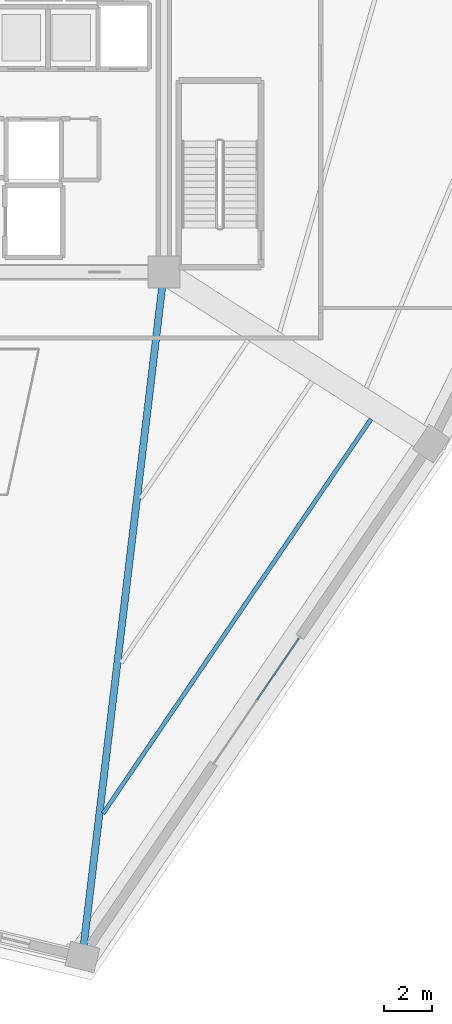
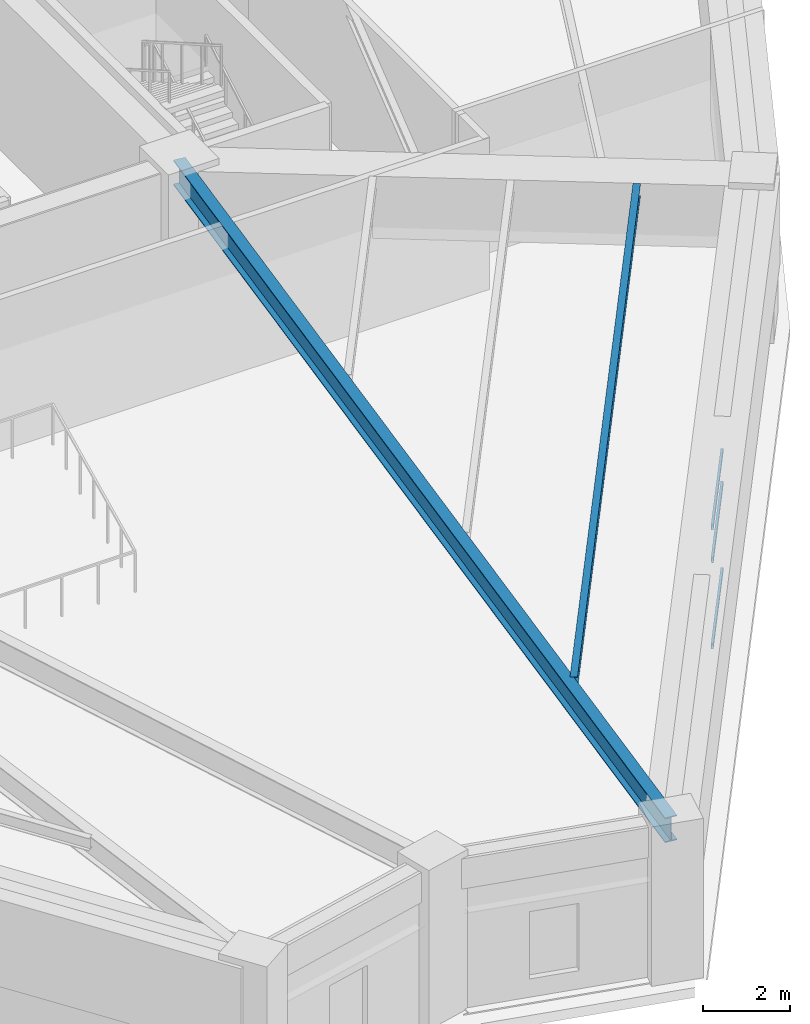
# One storey, part 9 of 39: 3 members, 2 beams, 1 element without a shape of its own.
"""IFC4 building model written with IfcOpenShell, lengths in metres."""

from ifc_helpers import new_model, si_unit, direction, frame, origin, origin_2d, place, context, subcontext, project, spatial, hollow_rectangle, i_section, extrude, source, transform, mapped, material, layer, layer_set, material_profile, profile_set, type_object, element, aggregate, save


model = new_model("IFC4")

# Units and contexts
model_context = context("Model", 3, precision=1e-05, world=origin(), true_north=direction((0.0, 1.0)))
body_context = subcontext(model_context, "Body", "Model", "MODEL_VIEW")
ifc_project = project(units=[si_unit("LENGTHUNIT", "METRE"), si_unit("AREAUNIT", "SQUARE_METRE"), si_unit("VOLUMEUNIT", "CUBIC_METRE"), si_unit("PLANEANGLEUNIT", "RADIAN"), si_unit("MASSUNIT", "GRAM", prefix="KILO")], contexts=[model_context])

# Site, building, storey
site_placement = place(None, origin())
site = spatial("IfcSite", under=ifc_project, at=site_placement, CompositionType="ELEMENT")
building_placement = place(site_placement, origin())
building = spatial("IfcBuilding", under=site, at=building_placement, Name="Liaohun Quay Tower", CompositionType="ELEMENT")
storey_placement = place(building_placement, frame((0.0, 0.0, 189.75)))
storey = spatial("IfcBuildingStorey", under=building, at=storey_placement, Name="L49", CompositionType="ELEMENT", Elevation=189.75)

# Beams
ifc_material_1 = material(Name="Steel Q355D", Category="steel")
ifc_material_profile_1 = material_profile(ifc_material_1, i_section(OverallWidth=0.300048828125, OverallDepth=0.699951171875, WebThickness=0.012939453125, FlangeThickness=0.02392578125, at=origin_2d()), Name="HN700x300x13x24")
ifc_profile_set_1 = profile_set([ifc_material_profile_1], Name="Steel Q355D")
beam_type_1 = type_object("IfcBeamType", Name="BM-RAD-U1", PredefinedType="BEAM", material=ifc_profile_set_1)
shared_shape_1 = source(origin(), body_context, "Body", "SweptSolid", [
    extrude(i_section(OverallWidth=0.300048828125, OverallDepth=0.699951171875, WebThickness=0.012939453125, FlangeThickness=0.02392578125, at=origin_2d()), origin(), (0.0, 0.0, 1.0), 28.85791015625),
])
beam_1_placement = place(storey_placement, frame((69.0, 46.5, 3.969970703125), z_axis=(-0.11834020208, -0.992973109692, 0.0), x_axis=(0.992973109692, -0.11834020208, 0.0)))
element("IfcBeam", 1, at=beam_1_placement, inside=storey, type_object=beam_type_1, Name="L49 Radial Primary Girder CC3-PC11", PredefinedType="BEAM", context=body_context, shape_type="MappedRepresentation", body=[
    mapped(shared_shape_1, transform((0.0, 0.0, 0.0), x_axis=(1.0, 0.0, 0.0), y_axis=(0.0, 1.0, 0.0), z_axis=(0.0, 0.0, 1.0), scale=1.0)),
])
ifc_material_profile_2 = material_profile(ifc_material_1, i_section(OverallWidth=0.175048828125, OverallDepth=0.35009765625, WebThickness=0.007080078125, FlangeThickness=0.010986328125, at=origin_2d()), Name="HN350x175x7x11")
ifc_profile_set_2 = profile_set([ifc_material_profile_2], Name="Steel Q355D")
beam_type_2 = type_object("IfcBeamType", Name="BM-SEC-J3", PredefinedType="JOIST", material=ifc_profile_set_2)
shared_shape_2 = source(origin(), body_context, "Body", "SweptSolid", [
    extrude(i_section(OverallWidth=0.175048828125, OverallDepth=0.35009765625, WebThickness=0.007080078125, FlangeThickness=0.010986328125, at=origin_2d()), origin(), (0.0, 0.0, 1.0), 19.94775390625),
])
beam_2_placement = place(storey_placement, frame((77.660888671875, 40.345947265625, 4.14501953125), z_axis=(-0.561965834584, -0.827160444388, 0.0), x_axis=(0.827160444388, -0.561965834584, 0.0)))
element("IfcBeam", 2, at=beam_2_placement, inside=storey, type_object=beam_type_2, Name="L49 Wing Secondary Floor Joist SJ-14", PredefinedType="JOIST", context=body_context, shape_type="MappedRepresentation", body=[
    mapped(shared_shape_2, transform((0.0, 0.0, 0.0), x_axis=(1.0, 0.0, 0.0), y_axis=(0.0, 1.0, 0.0), z_axis=(0.0, 0.0, 1.0), scale=1.0)),
])

# Curtain wall, members
ifc_material_2 = material(Name="Mid-height zone-break sky-lobby curtain wall")
ifc_layer = layer(ifc_material_2, 0.199951171875, Name="Mid-height zone-break sky-lobby curtain wall")
ifc_layer_set = layer_set([ifc_layer], Name="Mid-height zone-break sky-lobby curtain wall")
curtain_wall_type = type_object("IfcCurtainWallType", Name="CW-SKY-L49", PredefinedType="NOTDEFINED", material=ifc_layer_set)
curtain_wall_placement = place(storey_placement, origin())
curtain_wall = element("IfcCurtainWall", 3, at=curtain_wall_placement, inside=storey, type_object=curtain_wall_type, Name="L49 Panoramic Belvedere Curtain Wall 01", PredefinedType="NOTDEFINED")
ifc_material_3 = material(Name="Anodised aluminium 6063-T6", Category="aluminium")
ifc_material_profile_3 = material_profile(ifc_material_3, hollow_rectangle(XDim=0.06005859375, YDim=0.135009765625, WallThickness=0.00390625, at=origin_2d()), Name="RHS135x60x4")
ifc_profile_set_3 = profile_set([ifc_material_profile_3], Name="Anodised aluminium 6063-T6")
member_type = type_object("IfcMemberType", Name="MEM-CWT-SKY", PredefinedType="USERDEFINED", material=ifc_profile_set_3)
shared_shape_3 = source(origin(), body_context, "Body", "SweptSolid", [
    extrude(hollow_rectangle(XDim=0.06005859375, YDim=0.135009765625, WallThickness=0.00390625, at=origin_2d()), origin(), (0.0, 0.0, 1.0), 3.102783203125),
])
member_1_placement = place(storey_placement, frame((72.899658203125, 28.61181640625, 0.030029296875), z_axis=(0.562032361121, 0.827115242909, 0.0), x_axis=(-0.827115242909, 0.562032361121, 0.0)))
member_1 = element("IfcMember", 4, at=member_1_placement, type_object=member_type, Name="CW4 transom 2.1", ObjectType="TRANSOM", PredefinedType="USERDEFINED", context=body_context, shape_type="MappedRepresentation", body=[
    mapped(shared_shape_3, transform((0.0, 0.0, 0.0), x_axis=(1.0, 0.0, 0.0), y_axis=(0.0, 1.0, 0.0), z_axis=(0.0, 0.0, 1.0), scale=1.0)),
])
member_2_placement = place(storey_placement, frame((72.899658203125, 28.61181640625, 2.4619140625), z_axis=(0.562032361121, 0.827115242909, 0.0), x_axis=(-0.827115242909, 0.562032361121, 0.0)))
member_2 = element("IfcMember", 5, at=member_2_placement, type_object=member_type, Name="CW4 transom 2.2", ObjectType="TRANSOM", PredefinedType="USERDEFINED", context=body_context, shape_type="MappedRepresentation", body=[
    mapped(shared_shape_3, transform((0.0, 0.0, 0.0), x_axis=(1.0, 0.0, 0.0), y_axis=(0.0, 1.0, 0.0), z_axis=(0.0, 0.0, 1.0), scale=1.0)),
])
member_3_placement = place(storey_placement, frame((72.899658203125, 28.61181640625, 3.389892578125), z_axis=(0.562032361121, 0.827115242909, 0.0), x_axis=(-0.827115242909, 0.562032361121, 0.0)))
member_3 = element("IfcMember", 6, at=member_3_placement, type_object=member_type, Name="CW4 transom 2.3", ObjectType="TRANSOM", PredefinedType="USERDEFINED", context=body_context, shape_type="MappedRepresentation", body=[
    mapped(shared_shape_3, transform((0.0, 0.0, 0.0), x_axis=(1.0, 0.0, 0.0), y_axis=(0.0, 1.0, 0.0), z_axis=(0.0, 0.0, 1.0), scale=1.0)),
])
aggregate(curtain_wall, [member_1, member_2, member_3])

save(model, "model.ifc")
